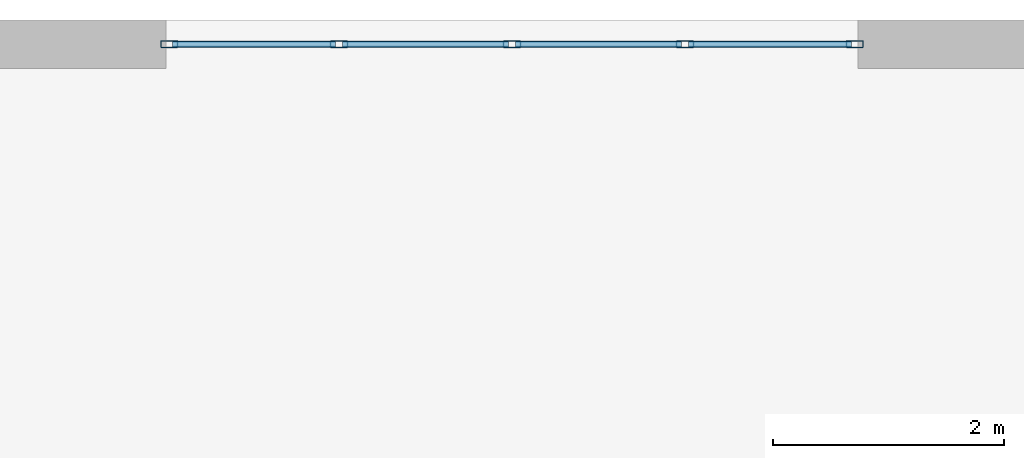
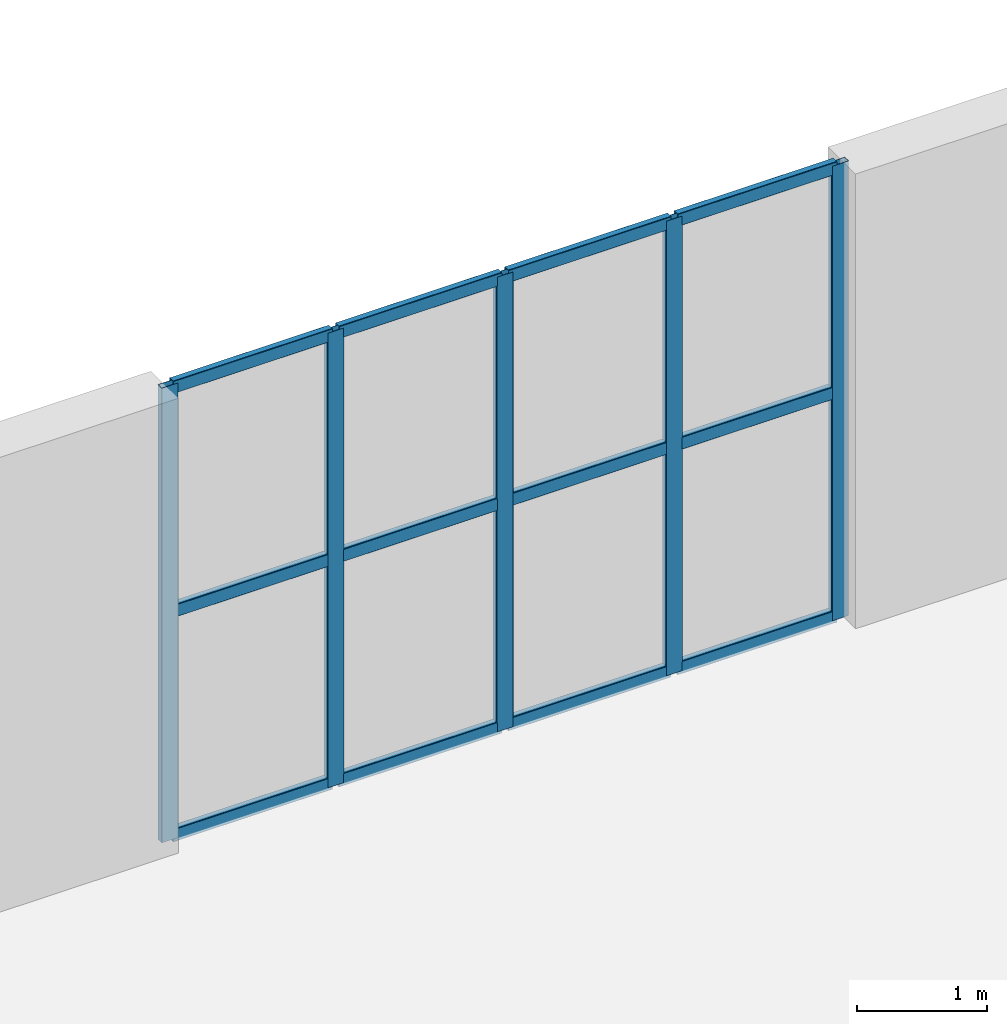
# One storey, part 5 of 15: 17 members, 1 element without a shape of its own.
"""IFC4 building model written with IfcOpenShell, lengths in metres."""

from ifc_helpers import new_model, entity, si_unit, converted_unit, direction, frame, origin_with_axes, origin_2d_with_axis, place, context, subcontext, project, spatial, hollow_rectangle, extrude, material, material_profile, profile_set, type_object, element, aggregate, save


model = new_model("IFC4")

# Units and contexts
model_context = context("Model", 3, precision=1e-05, world=origin_with_axes(), true_north=direction((0.0, 1.0)))
body_context = subcontext(model_context, "Body", "Model", "MODEL_VIEW")
ifc_project = project(units=[si_unit("LENGTHUNIT", "METRE"), si_unit("AREAUNIT", "SQUARE_METRE"), si_unit("VOLUMEUNIT", "CUBIC_METRE"), converted_unit("PLANEANGLEUNIT", "DEGREE", entity("IfcPlaneAngleMeasure", 0.017453292519943295), si_unit("PLANEANGLEUNIT", "RADIAN"), dimensions=[0, 0, 0, 0, 0, 0, 0]), si_unit("MASSUNIT", "GRAM", prefix="KILO"), si_unit("THERMODYNAMICTEMPERATUREUNIT", "KELVIN")], contexts=[model_context])

# Site, building, storey
site_placement = place(None, origin_with_axes())
site = spatial("IfcSite", under=ifc_project, at=site_placement, CompositionType="ELEMENT")
building_placement = place(site_placement, origin_with_axes())
building = spatial("IfcBuilding", under=site, at=building_placement, Name="Varnlund Millrace Tower", CompositionType="ELEMENT")
storey_placement = place(building_placement, frame((0.0, 0.0, 15.3), z_axis=(0.0, 0.0, 1.0), x_axis=(1.0, 0.0, 0.0)))
storey = spatial("IfcBuildingStorey", under=building, at=storey_placement, Name="L03", CompositionType="ELEMENT", Elevation=15.3)

# Curtain wall, members
ifc_material_1 = material(Name="Thermally broken architectural bronze curtain wall", Category="aluminium")
curtain_wall_type = type_object("IfcCurtainWallType", Name="Type-CW-Sys3-PortalBridge", PredefinedType="NOTDEFINED", material=ifc_material_1)
curtain_wall_placement = place(storey_placement, frame((24.0, 49.29, 0.0), z_axis=(0.0, 0.0, 1.0), x_axis=(1.0, 0.0, 0.0)))
curtain_wall = element("IfcCurtainWall", 1, at=curtain_wall_placement, inside=storey, type_object=curtain_wall_type, Name="Type-CW-Sys3-PortalBridge", PredefinedType="NOTDEFINED")
ifc_material_2 = material(Name="Architectural bronze aluminium alloy 6063-T6", Category="aluminium")
ifc_material_profile_1 = material_profile(ifc_material_2, hollow_rectangle(XDim=0.06, YDim=0.15, WallThickness=0.004, InnerFilletRadius=0.004, OuterFilletRadius=0.008, at=origin_2d_with_axis()), Name="Architectural bronze aluminium alloy 6063-T6")
ifc_profile_set_1 = profile_set([ifc_material_profile_1], Name="Architectural bronze aluminium alloy 6063-T6")
member_type_1 = type_object("IfcMemberType", Name="Type-CW-Mullion-60X150", PredefinedType="MULLION", material=ifc_profile_set_1)
member_1_placement = place(storey_placement, frame((24.03, 49.29, 0.0), z_axis=(0.0, 0.0, 1.0), x_axis=(0.0, 1.0, 0.0)))
member_1 = element("IfcMember", 2, at=member_1_placement, type_object=member_type_1, Name="CW-03 mullion 1", PredefinedType="MULLION", context=body_context, shape_type="SweptSolid", body=[
    extrude(hollow_rectangle(XDim=0.06, YDim=0.15, WallThickness=0.004, InnerFilletRadius=0.004, OuterFilletRadius=0.008, at=origin_2d_with_axis()), origin_with_axes(), (0.0, 0.0, 1.0), 4.26),
])
member_2_placement = place(storey_placement, frame((25.5, 49.29, 0.0), z_axis=(0.0, 0.0, 1.0), x_axis=(0.0, 1.0, 0.0)))
member_2 = element("IfcMember", 3, at=member_2_placement, type_object=member_type_1, Name="CW-03 mullion 2", PredefinedType="MULLION", context=body_context, shape_type="SweptSolid", body=[
    extrude(hollow_rectangle(XDim=0.06, YDim=0.15, WallThickness=0.004, InnerFilletRadius=0.004, OuterFilletRadius=0.008, at=origin_2d_with_axis()), origin_with_axes(), (0.0, 0.0, 1.0), 4.26),
])
member_3_placement = place(storey_placement, frame((27.0, 49.29, 0.0), z_axis=(0.0, 0.0, 1.0), x_axis=(0.0, 1.0, 0.0)))
member_3 = element("IfcMember", 4, at=member_3_placement, type_object=member_type_1, Name="CW-03 mullion 3", PredefinedType="MULLION", context=body_context, shape_type="SweptSolid", body=[
    extrude(hollow_rectangle(XDim=0.06, YDim=0.15, WallThickness=0.004, InnerFilletRadius=0.004, OuterFilletRadius=0.008, at=origin_2d_with_axis()), origin_with_axes(), (0.0, 0.0, 1.0), 4.26),
])
member_4_placement = place(storey_placement, frame((28.5, 49.29, 0.0), z_axis=(0.0, 0.0, 1.0), x_axis=(0.0, 1.0, 0.0)))
member_4 = element("IfcMember", 5, at=member_4_placement, type_object=member_type_1, Name="CW-03 mullion 4", PredefinedType="MULLION", context=body_context, shape_type="SweptSolid", body=[
    extrude(hollow_rectangle(XDim=0.06, YDim=0.15, WallThickness=0.004, InnerFilletRadius=0.004, OuterFilletRadius=0.008, at=origin_2d_with_axis()), origin_with_axes(), (0.0, 0.0, 1.0), 4.26),
])
member_5_placement = place(storey_placement, frame((29.97, 49.29, 0.0), z_axis=(0.0, 0.0, 1.0), x_axis=(0.0, 1.0, 0.0)))
member_5 = element("IfcMember", 6, at=member_5_placement, type_object=member_type_1, Name="CW-03 mullion 5", PredefinedType="MULLION", context=body_context, shape_type="SweptSolid", body=[
    extrude(hollow_rectangle(XDim=0.06, YDim=0.15, WallThickness=0.004, InnerFilletRadius=0.004, OuterFilletRadius=0.008, at=origin_2d_with_axis()), origin_with_axes(), (0.0, 0.0, 1.0), 4.26),
])
ifc_material_profile_2 = material_profile(ifc_material_2, hollow_rectangle(XDim=0.06, YDim=0.12, WallThickness=0.004, InnerFilletRadius=0.004, OuterFilletRadius=0.008, at=origin_2d_with_axis()), Name="Architectural bronze aluminium alloy 6063-T6")
ifc_profile_set_2 = profile_set([ifc_material_profile_2], Name="Architectural bronze aluminium alloy 6063-T6")
member_type_2 = type_object("IfcMemberType", Name="Type-CW-Transom-60X120", PredefinedType="USERDEFINED", material=ifc_profile_set_2)
member_6_placement = place(storey_placement, frame((24.06, 49.29, 0.03), z_axis=(1.0, 0.0, 0.0), x_axis=(0.0, 1.0, 0.0)))
member_6 = element("IfcMember", 7, at=member_6_placement, type_object=member_type_2, Name="CW-03 transom 1.1", ObjectType="TRANSOM", PredefinedType="USERDEFINED", context=body_context, shape_type="SweptSolid", body=[
    extrude(hollow_rectangle(XDim=0.06, YDim=0.12, WallThickness=0.004, InnerFilletRadius=0.004, OuterFilletRadius=0.008, at=origin_2d_with_axis()), origin_with_axes(), (0.0, 0.0, 1.0), 1.41),
])
member_7_placement = place(storey_placement, frame((24.06, 49.29, 2.13), z_axis=(1.0, 0.0, 0.0), x_axis=(0.0, 1.0, 0.0)))
member_7 = element("IfcMember", 8, at=member_7_placement, type_object=member_type_2, Name="CW-03 transom 1.2", ObjectType="TRANSOM", PredefinedType="USERDEFINED", context=body_context, shape_type="SweptSolid", body=[
    extrude(hollow_rectangle(XDim=0.06, YDim=0.12, WallThickness=0.004, InnerFilletRadius=0.004, OuterFilletRadius=0.008, at=origin_2d_with_axis()), origin_with_axes(), (0.0, 0.0, 1.0), 1.41),
])
member_8_placement = place(storey_placement, frame((24.06, 49.29, 4.23), z_axis=(1.0, 0.0, 0.0), x_axis=(0.0, 1.0, 0.0)))
member_8 = element("IfcMember", 9, at=member_8_placement, type_object=member_type_2, Name="CW-03 transom 1.3", ObjectType="TRANSOM", PredefinedType="USERDEFINED", context=body_context, shape_type="SweptSolid", body=[
    extrude(hollow_rectangle(XDim=0.06, YDim=0.12, WallThickness=0.004, InnerFilletRadius=0.004, OuterFilletRadius=0.008, at=origin_2d_with_axis()), origin_with_axes(), (0.0, 0.0, 1.0), 1.41),
])
member_9_placement = place(storey_placement, frame((25.53, 49.29, 0.03), z_axis=(1.0, 0.0, 0.0), x_axis=(0.0, 1.0, 0.0)))
member_9 = element("IfcMember", 10, at=member_9_placement, type_object=member_type_2, Name="CW-03 transom 2.1", ObjectType="TRANSOM", PredefinedType="USERDEFINED", context=body_context, shape_type="SweptSolid", body=[
    extrude(hollow_rectangle(XDim=0.06, YDim=0.12, WallThickness=0.004, InnerFilletRadius=0.004, OuterFilletRadius=0.008, at=origin_2d_with_axis()), origin_with_axes(), (0.0, 0.0, 1.0), 1.44),
])
member_10_placement = place(storey_placement, frame((25.53, 49.29, 2.13), z_axis=(1.0, 0.0, 0.0), x_axis=(0.0, 1.0, 0.0)))
member_10 = element("IfcMember", 11, at=member_10_placement, type_object=member_type_2, Name="CW-03 transom 2.2", ObjectType="TRANSOM", PredefinedType="USERDEFINED", context=body_context, shape_type="SweptSolid", body=[
    extrude(hollow_rectangle(XDim=0.06, YDim=0.12, WallThickness=0.004, InnerFilletRadius=0.004, OuterFilletRadius=0.008, at=origin_2d_with_axis()), origin_with_axes(), (0.0, 0.0, 1.0), 1.44),
])
member_11_placement = place(storey_placement, frame((25.53, 49.29, 4.23), z_axis=(1.0, 0.0, 0.0), x_axis=(0.0, 1.0, 0.0)))
member_11 = element("IfcMember", 12, at=member_11_placement, type_object=member_type_2, Name="CW-03 transom 2.3", ObjectType="TRANSOM", PredefinedType="USERDEFINED", context=body_context, shape_type="SweptSolid", body=[
    extrude(hollow_rectangle(XDim=0.06, YDim=0.12, WallThickness=0.004, InnerFilletRadius=0.004, OuterFilletRadius=0.008, at=origin_2d_with_axis()), origin_with_axes(), (0.0, 0.0, 1.0), 1.44),
])
member_12_placement = place(storey_placement, frame((27.03, 49.29, 0.03), z_axis=(1.0, 0.0, 0.0), x_axis=(0.0, 1.0, 0.0)))
member_12 = element("IfcMember", 13, at=member_12_placement, type_object=member_type_2, Name="CW-03 transom 3.1", ObjectType="TRANSOM", PredefinedType="USERDEFINED", context=body_context, shape_type="SweptSolid", body=[
    extrude(hollow_rectangle(XDim=0.06, YDim=0.12, WallThickness=0.004, InnerFilletRadius=0.004, OuterFilletRadius=0.008, at=origin_2d_with_axis()), origin_with_axes(), (0.0, 0.0, 1.0), 1.44),
])
member_13_placement = place(storey_placement, frame((27.03, 49.29, 2.13), z_axis=(1.0, 0.0, 0.0), x_axis=(0.0, 1.0, 0.0)))
member_13 = element("IfcMember", 14, at=member_13_placement, type_object=member_type_2, Name="CW-03 transom 3.2", ObjectType="TRANSOM", PredefinedType="USERDEFINED", context=body_context, shape_type="SweptSolid", body=[
    extrude(hollow_rectangle(XDim=0.06, YDim=0.12, WallThickness=0.004, InnerFilletRadius=0.004, OuterFilletRadius=0.008, at=origin_2d_with_axis()), origin_with_axes(), (0.0, 0.0, 1.0), 1.44),
])
member_14_placement = place(storey_placement, frame((27.03, 49.29, 4.23), z_axis=(1.0, 0.0, 0.0), x_axis=(0.0, 1.0, 0.0)))
member_14 = element("IfcMember", 15, at=member_14_placement, type_object=member_type_2, Name="CW-03 transom 3.3", ObjectType="TRANSOM", PredefinedType="USERDEFINED", context=body_context, shape_type="SweptSolid", body=[
    extrude(hollow_rectangle(XDim=0.06, YDim=0.12, WallThickness=0.004, InnerFilletRadius=0.004, OuterFilletRadius=0.008, at=origin_2d_with_axis()), origin_with_axes(), (0.0, 0.0, 1.0), 1.44),
])
member_15_placement = place(storey_placement, frame((28.53, 49.29, 0.03), z_axis=(1.0, 0.0, 0.0), x_axis=(0.0, 1.0, 0.0)))
member_15 = element("IfcMember", 16, at=member_15_placement, type_object=member_type_2, Name="CW-03 transom 4.1", ObjectType="TRANSOM", PredefinedType="USERDEFINED", context=body_context, shape_type="SweptSolid", body=[
    extrude(hollow_rectangle(XDim=0.06, YDim=0.12, WallThickness=0.004, InnerFilletRadius=0.004, OuterFilletRadius=0.008, at=origin_2d_with_axis()), origin_with_axes(), (0.0, 0.0, 1.0), 1.41),
])
member_16_placement = place(storey_placement, frame((28.53, 49.29, 2.13), z_axis=(1.0, 0.0, 0.0), x_axis=(0.0, 1.0, 0.0)))
member_16 = element("IfcMember", 17, at=member_16_placement, type_object=member_type_2, Name="CW-03 transom 4.2", ObjectType="TRANSOM", PredefinedType="USERDEFINED", context=body_context, shape_type="SweptSolid", body=[
    extrude(hollow_rectangle(XDim=0.06, YDim=0.12, WallThickness=0.004, InnerFilletRadius=0.004, OuterFilletRadius=0.008, at=origin_2d_with_axis()), origin_with_axes(), (0.0, 0.0, 1.0), 1.41),
])
member_17_placement = place(storey_placement, frame((28.53, 49.29, 4.23), z_axis=(1.0, 0.0, 0.0), x_axis=(0.0, 1.0, 0.0)))
member_17 = element("IfcMember", 18, at=member_17_placement, type_object=member_type_2, Name="CW-03 transom 4.3", ObjectType="TRANSOM", PredefinedType="USERDEFINED", context=body_context, shape_type="SweptSolid", body=[
    extrude(hollow_rectangle(XDim=0.06, YDim=0.12, WallThickness=0.004, InnerFilletRadius=0.004, OuterFilletRadius=0.008, at=origin_2d_with_axis()), origin_with_axes(), (0.0, 0.0, 1.0), 1.41),
])
aggregate(curtain_wall, [member_1, member_2, member_3, member_4, member_5, member_6, member_7, member_8, member_9, member_10, member_11, member_12, member_13, member_14, member_15, member_16, member_17])

save(model, "model.ifc")
